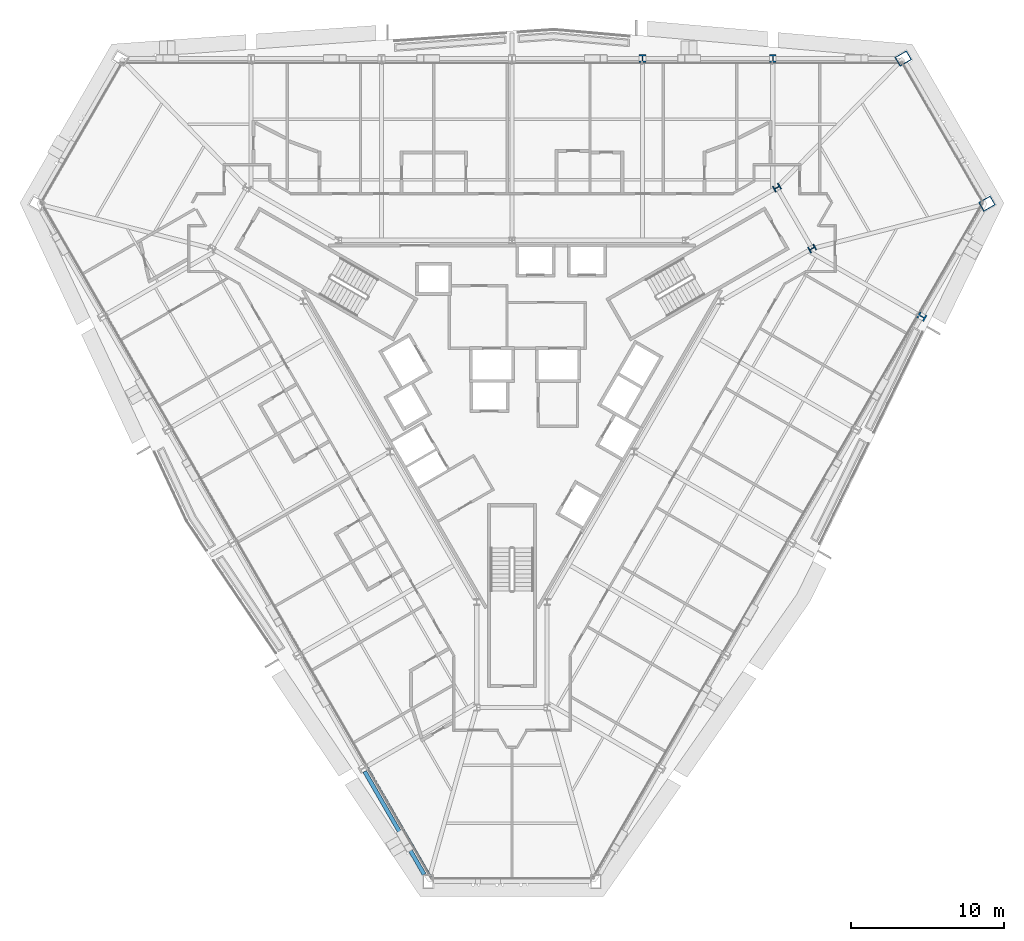
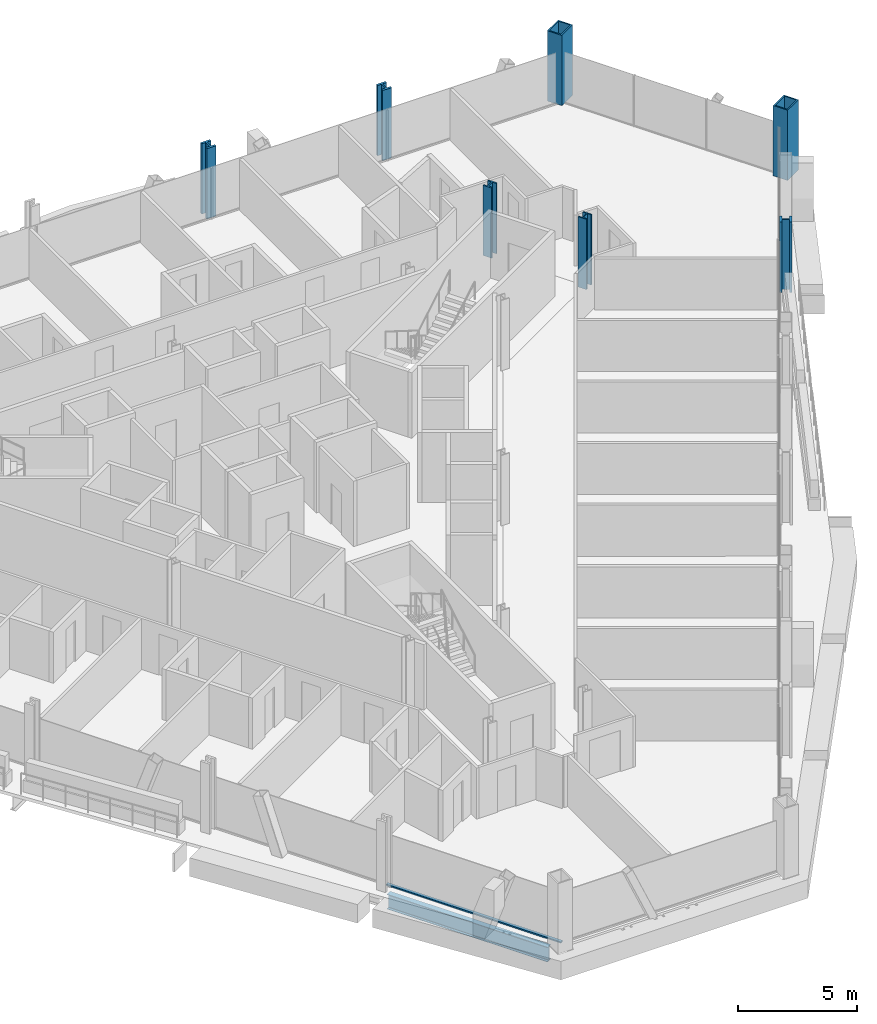
# One storey, part 2 of 17: 7 columns, 1 beam, 1 member, 1 element without a shape of its own.
"""IFC4 building model written with IfcOpenShell, lengths in metres."""

from ifc_helpers import new_model, si_unit, direction, frame, origin, origin_2d, place, context, subcontext, project, spatial, rectangle, hollow_rectangle, i_section, extrude, material, material_profile, profile_set, type_object, element, aggregate, save


model = new_model("IFC4")

# Units and contexts
model_context = context("Model", 3, precision=1e-05, world=origin(), true_north=direction((0.0, 1.0)))
body_context = subcontext(model_context, "Body", "Model", "MODEL_VIEW")
ifc_project = project(units=[si_unit("LENGTHUNIT", "METRE"), si_unit("AREAUNIT", "SQUARE_METRE"), si_unit("VOLUMEUNIT", "CUBIC_METRE"), si_unit("PLANEANGLEUNIT", "RADIAN"), si_unit("MASSUNIT", "GRAM", prefix="KILO")], contexts=[model_context])

# Site, building, storey
site_placement = place(None, origin())
site = spatial("IfcSite", under=ifc_project, at=site_placement, CompositionType="ELEMENT")
building_placement = place(site_placement, origin())
building = spatial("IfcBuilding", under=site, at=building_placement, Name="Verrane Prism Tower", CompositionType="ELEMENT")
storey_placement = place(building_placement, frame((0.0, 0.0, 51.199951171875)))
storey = spatial("IfcBuildingStorey", under=building, at=storey_placement, Name="L10", CompositionType="ELEMENT", Elevation=51.199951171875)

# Columns
ifc_material_1 = material(Name="Steel A992", Category="steel")
ifc_material_profile_1 = material_profile(ifc_material_1, i_section(OverallWidth=0.419189453125, OverallDepth=0.45458984375, WebThickness=0.042236328125, FlangeThickness=0.067626953125, FilletRadius=0.01513671875, at=origin_2d()), Name="W14x370")
ifc_profile_set_1 = profile_set([ifc_material_profile_1], Name="Steel A992")
column_type_1 = type_object("IfcColumnType", Name="Core corner column W14x370", PredefinedType="COLUMN", material=ifc_profile_set_1)
for number, where, z_axis, x_axis, name in (
    (1, (19.60009765625, 8.659912109375, 0.0), (0.0, 0.0, 1.0), (0.5, -0.866025403784, 0.0), "Core corner column CK-NEm L10"),
    (2, (17.300048828125, 12.639892578125, 0.0), (0.0, 0.0, 1.0), (0.5, -0.866025403784, 0.0), "Core corner column CK-NEp L10"),
):
    element("IfcColumn", number, at=place(storey_placement, frame(where, z_axis=z_axis, x_axis=x_axis)), inside=storey, type_object=column_type_1, Name=name, PredefinedType="COLUMN", context=body_context, shape_type="SweptSolid", body=[
        extrude(i_section(OverallWidth=0.419189453125, OverallDepth=0.45458984375, WebThickness=0.042236328125, FlangeThickness=0.067626953125, FilletRadius=0.01513671875, at=origin_2d()), origin(), (0.0, 0.0, 1.0), 3.60009765625),
    ])
ifc_material_2 = material(Name="Steel A572 Grade 50", Category="steel")
ifc_material_profile_2 = material_profile(ifc_material_2, hollow_rectangle(XDim=0.699951171875, YDim=0.89990234375, WallThickness=0.06494140625, at=origin_2d()), Name="BOX 900x700x65")
ifc_profile_set_2 = profile_set([ifc_material_profile_2], Name="Steel A572 Grade 50")
column_type_2 = type_object("IfcColumnType", Name="Megacolumn BOX 900x700x65", PredefinedType="COLUMN", material=ifc_profile_set_2)
for number, where, z_axis, x_axis, name in (
    (3, (25.550048828125, 21.070068359375, 0.0), (0.0, 0.0, 1.0), (0.5, -0.866025403784, 0.0), "Megacolumn MC-NE.b L10"),
    (4, (31.02001953125, 11.590087890625, 0.0), (0.0, 0.0, 1.0), (0.5, -0.866025403784, 0.0), "Megacolumn MC-NE.a L10"),
):
    element("IfcColumn", number, at=place(storey_placement, frame(where, z_axis=z_axis, x_axis=x_axis)), inside=storey, type_object=column_type_2, Name=name, PredefinedType="COLUMN", context=body_context, shape_type="SweptSolid", body=[
        extrude(hollow_rectangle(XDim=0.699951171875, YDim=0.89990234375, WallThickness=0.06494140625, at=origin_2d()), origin(), (0.0, 0.0, 1.0), 3.60009765625),
    ])
ifc_material_3 = material(Name="Steel A992", Category="steel")
ifc_material_profile_3 = material_profile(ifc_material_3, i_section(OverallWidth=0.44189453125, OverallDepth=0.53076171875, WebThickness=0.06591796875, FlangeThickness=0.105712890625, FilletRadius=0.01513671875, at=origin_2d()), Name="W14x605")
ifc_profile_set_3 = profile_set([ifc_material_profile_3], Name="Steel A992")
column_type_3 = type_object("IfcColumnType", Name="Perimeter column W14x605", PredefinedType="COLUMN", material=ifc_profile_set_3)
for number, where, z_axis, x_axis, name in (
    (5, (17.030029296875, 21.070068359375, 0.0), (0.0, 0.0, 1.0), (1.0, 0.0, 0.0), "Perimeter column PC-N1 L10"),
    (6, (8.52001953125, 21.070068359375, 0.0), (0.0, 0.0, 1.0), (1.0, 0.0, 0.0), "Perimeter column PC-N2 L10"),
    (7, (26.760009765625, 4.219970703125, 0.0), (0.0, 0.0, 1.0), (-0.5, -0.866025403784, 0.0), "Perimeter column PC-SE5 L10"),
):
    element("IfcColumn", number, at=place(storey_placement, frame(where, z_axis=z_axis, x_axis=x_axis)), inside=storey, type_object=column_type_3, Name=name, PredefinedType="COLUMN", context=body_context, shape_type="SweptSolid", body=[
        extrude(i_section(OverallWidth=0.44189453125, OverallDepth=0.53076171875, WebThickness=0.06591796875, FlangeThickness=0.105712890625, FilletRadius=0.01513671875, at=origin_2d()), origin(), (0.0, 0.0, 1.0), 3.60009765625),
    ])

# Beam
ifc_material_4 = material(Name="Steel A992", Category="steel")
ifc_material_profile_4 = material_profile(ifc_material_4, i_section(OverallWidth=0.2666015625, OverallDepth=0.7568359375, WebThickness=0.013916015625, FlangeThickness=0.019287109375, FilletRadius=0.0166015625, at=origin_2d()), Name="W30x108")
ifc_profile_set_4 = profile_set([ifc_material_profile_4], Name="Steel A992")
beam_type = type_object("IfcBeamType", Name="Spandrel beam W30x108", PredefinedType="SPANDREL", material=ifc_profile_set_4)
beam_placement = place(storey_placement, frame((-9.619384765625, -25.481201171875, -0.538330078125), z_axis=(0.500439305817, -0.865771621846, 0.0), x_axis=(0.865771621846, 0.500439305817, 0.0)))
element("IfcBeam", 8, at=beam_placement, inside=storey, type_object=beam_type, Name="Spandrel beam L10", PredefinedType="SPANDREL", context=body_context, shape_type="SweptSolid", body=[
    extrude(i_section(OverallWidth=0.2666015625, OverallDepth=0.7568359375, WebThickness=0.013916015625, FlangeThickness=0.019287109375, FilletRadius=0.0166015625, at=origin_2d()), origin(), (0.0, 0.0, 1.0), 7.77197265625),
])

# Curtain wall, member
ifc_material_5 = material(Name="Aluminium framed insulated glazing", Category="aluminium")
curtain_wall_type = type_object("IfcCurtainWallType", Name="Curtain wall CW-A 8400 module", PredefinedType="NOTDEFINED", material=ifc_material_5)
curtain_wall_placement = place(storey_placement, origin())
curtain_wall = element("IfcCurtainWall", 9, at=curtain_wall_placement, inside=storey, type_object=curtain_wall_type, Name="Glazed curtain wall south-west face L10", PredefinedType="NOTDEFINED")
ifc_material_6 = material(Name="Aluminium alloy 6063-T6", Category="aluminium")
ifc_material_profile_5 = material_profile(ifc_material_6, rectangle(XDim=0.14990234375, YDim=0.070068359375, at=origin_2d()), Name="Transom 70x150 aluminium")
ifc_profile_set_5 = profile_set([ifc_material_profile_5], Name="Aluminium alloy 6063-T6")
member_type = type_object("IfcMemberType", Name="Transom 70x150 aluminium", PredefinedType="USERDEFINED", material=ifc_profile_set_5)
member_placement = place(storey_placement, frame((-9.496337890625, -25.134033203125, 0.03515625), z_axis=(0.500014000576, -0.866017320397, 0.0), x_axis=(0.866017320397, 0.500014000576, 0.0)))
member = element("IfcMember", 10, at=member_placement, type_object=member_type, Name="CW09.4 transom 6", ObjectType="TRANSOM", PredefinedType="USERDEFINED", context=body_context, shape_type="SweptSolid", body=[
    extrude(rectangle(XDim=0.14990234375, YDim=0.070068359375, at=origin_2d()), origin(), (0.0, 0.0, 1.0), 8.456787109375),
])
aggregate(curtain_wall, [member])

save(model, "model.ifc")
